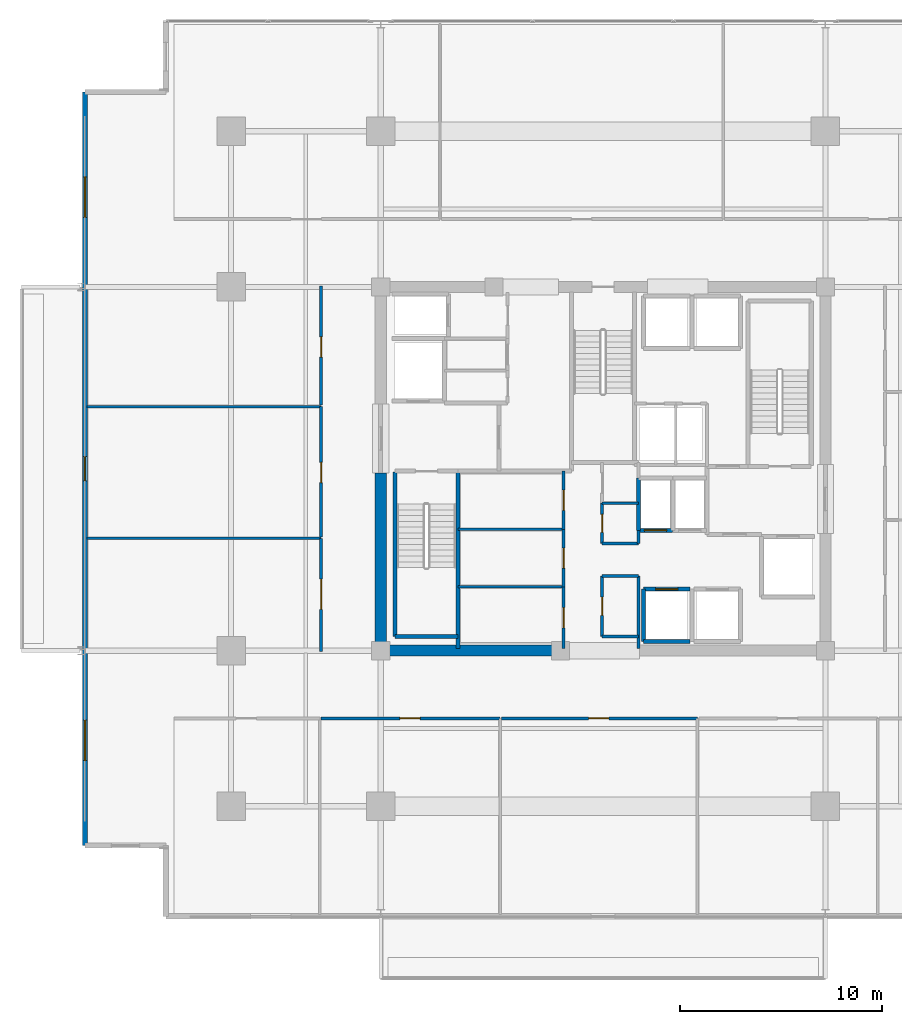
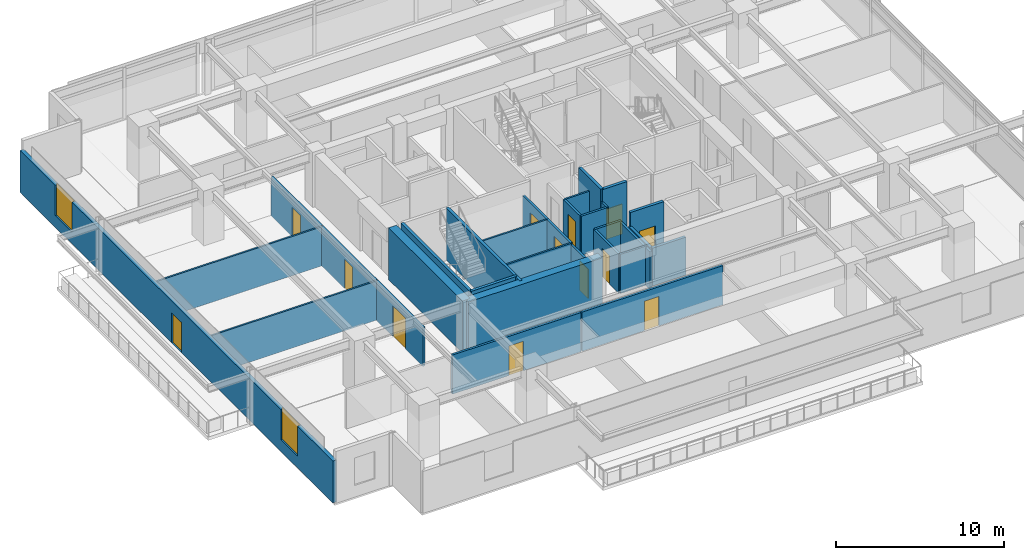
# One storey, part 15 of 23: 31 walls, 13 doors, 2 windows, 15 openings.
"""IFC4 building model written with IfcOpenShell, lengths in metres."""

from ifc_helpers import new_model, si_unit, direction, frame, frame_2d, origin, place, context, subcontext, project, spatial, rectangle, extrude, material, layer, layer_set, type_object, element, fill, save


model = new_model("IFC4")

# Units and contexts
model_context = context("Model", 3, precision=1e-05, world=origin(), true_north=direction((0.0, 1.0)))
body_context = subcontext(model_context, "Body", "Model", "MODEL_VIEW")
ifc_project = project(units=[si_unit("LENGTHUNIT", "METRE"), si_unit("AREAUNIT", "SQUARE_METRE"), si_unit("VOLUMEUNIT", "CUBIC_METRE"), si_unit("PLANEANGLEUNIT", "RADIAN"), si_unit("MASSUNIT", "GRAM", prefix="KILO")], contexts=[model_context])

# Site, building, storey
site_placement = place(None, origin())
site = spatial("IfcSite", under=ifc_project, at=site_placement, CompositionType="ELEMENT")
building_placement = place(site_placement, origin())
building = spatial("IfcBuilding", under=site, at=building_placement, Name="Kovane Verandah Tower", CompositionType="ELEMENT")
storey_placement = place(building_placement, frame((0.0, 0.0, 221.199951171875)))
storey = spatial("IfcBuildingStorey", under=building, at=storey_placement, Name="L51", CompositionType="ELEMENT", Elevation=221.199951171875)

# Walls
ifc_material_1 = material(Name="Fire-Rated Gypsum Stud Partition", Category="gypsum")
ifc_layer_1 = layer(ifc_material_1, 0.14990234375)
ifc_layer_set_1 = layer_set([ifc_layer_1], Name="Fire-Rated Gypsum Stud Partition")
wall_type_1 = type_object("IfcWallType", Name="WL-COR-150", PredefinedType="PARTITIONING", material=ifc_layer_set_1)
for number, where, z_axis, x_axis, name in (
    (1, (39.949951171875, 19.199951171875, 0.0), (0.0, 0.0, 1.0), (1.0, 0.0, 0.0), "L51 Central Core Strip South Wall"),
    (2, (39.949951171875, 22.199951171875, 0.0), (0.0, 0.0, 1.0), (1.0, 0.0, 0.0), "L51 Core Cross-Passage South Wall"),
    (3, (39.949951171875, 23.800048828125, 0.0), (0.0, 0.0, 1.0), (1.0, 0.0, 0.0), "L51 Core Cross-Passage North Wall"),
):
    element("IfcWall", number, at=place(storey_placement, frame(where, z_axis=z_axis, x_axis=x_axis)), inside=storey, type_object=wall_type_1, Name=name, PredefinedType="PARTITIONING", context=body_context, shape_type="SweptSolid", body=[
        extrude(rectangle(XDim=1.81005859375, YDim=0.14990234375, at=frame_2d((0.905029296875, 0.0))), origin(), (0.0, 0.0, 1.0), 2.85009765625),
    ])
wall_1_placement = place(storey_placement, frame((41.760009765625, 18.60009765625, 0.0), z_axis=(0.0, 0.0, 1.0), x_axis=(0.0, 1.0, 0.0)))
element("IfcWall", 4, at=wall_1_placement, inside=storey, type_object=wall_type_1, Name="L51 Central Core Strip Lower East Wall", PredefinedType="PARTITIONING", context=body_context, shape_type="SweptSolid", body=[
    extrude(rectangle(XDim=3.599853515625, YDim=0.14990234375, at=frame_2d((1.7998046875, 0.0))), origin(), (0.0, 0.0, 1.0), 2.755126953125),
])
wall_2_placement = place(storey_placement, frame((41.760009765625, 23.800048828125, 0.0), z_axis=(0.0, 0.0, 1.0), x_axis=(0.0, 1.0, 0.0)))
element("IfcWall", 5, at=wall_2_placement, inside=storey, type_object=wall_type_1, Name="L51 Central Core Strip Middle East Wall", PredefinedType="PARTITIONING", context=body_context, shape_type="SweptSolid", body=[
    extrude(rectangle(XDim=0.64990234375, YDim=0.14990234375, at=frame_2d((0.324951171875, 0.0))), origin(), (0.0, 0.0, 1.0), 2.85009765625),
])

# Wall, opening, door
wall_3_placement = place(storey_placement, frame((39.949951171875, 19.199951171875, 0.0), z_axis=(0.0, 0.0, 1.0), x_axis=(0.0, 1.0, 0.0)))
wall_3 = element("IfcWall", 6, at=wall_3_placement, inside=storey, type_object=wall_type_1, Name="L51 Male Toilet Partition", PredefinedType="PARTITIONING", context=body_context, shape_type="SweptSolid", body=[
    extrude(rectangle(XDim=3.0, YDim=0.14990234375, at=frame_2d((1.5, 0.0))), origin(), (0.0, 0.0, 1.0), 2.85009765625),
])
opening_1_placement = place(wall_3_placement, frame((1.050048828125, 0.0, 0.0)))
opening_1 = element("IfcOpeningElement", 7, at=opening_1_placement, cuts=wall_3, Name="Opening DR-L51-032", PredefinedType="OPENING", context=body_context, shape_type="SweptSolid", body=[
    extrude(rectangle(XDim=0.89990234375, YDim=2.10009765625, at=frame_2d((0.449951171875, 1.050048828125))), frame((0.0, 0.074951171875, 0.0), z_axis=(0.0, -1.0, 0.0), x_axis=(1.0, 0.0, 0.0)), (0.0, 0.0, 1.0), 0.14990234375),
])
ifc_material_2 = material(Name="Moisture-Resistant Laminate Washroom Door", Category="wood")
door_type_1 = type_object("IfcDoorType", Name="DR-WC-900", OperationType="SINGLE_SWING_LEFT", PredefinedType="DOOR", material=ifc_material_2)
door_1_placement = place(opening_1_placement, origin())
door_1 = element("IfcDoor", 8, at=door_1_placement, inside=storey, type_object=door_type_1, Name="L51 Male Toilet Door", OperationType="SINGLE_SWING_RIGHT", OverallHeight=2.10009765625, OverallWidth=0.89990234375, PredefinedType="DOOR", context=body_context, shape_type="SweptSolid", body=[
    extrude(rectangle(XDim=0.89990234375, YDim=2.10009765625, at=frame_2d((0.449951171875, 1.050048828125))), frame((0.0, 0.02490234375, 0.0), z_axis=(0.0, -1.0, 0.0), x_axis=(1.0, 0.0, 0.0)), (0.0, 0.0, 1.0), 0.050048828125),
])
fill(opening_1, door_1)

wall_4_placement = place(storey_placement, frame((39.949951171875, 23.800048828125, 0.0), z_axis=(0.0, 0.0, 1.0), x_axis=(0.0, 1.0, 0.0)))
wall_4 = element("IfcWall", 9, at=wall_4_placement, inside=storey, type_object=wall_type_1, Name="L51 Female Toilet Partition", PredefinedType="PARTITIONING", context=body_context, shape_type="SweptSolid", body=[
    extrude(rectangle(XDim=2.0, YDim=0.14990234375, at=frame_2d((1.0, 0.0))), origin(), (0.0, 0.0, 1.0), 2.85009765625),
])
opening_2_placement = place(wall_4_placement, frame((0.550048828125, 0.0, 0.0)))
opening_2 = element("IfcOpeningElement", 10, at=opening_2_placement, cuts=wall_4, Name="Opening DR-L51-031", PredefinedType="OPENING", context=body_context, shape_type="SweptSolid", body=[
    extrude(rectangle(XDim=0.89990234375, YDim=2.10009765625, at=frame_2d((0.449951171875, 1.050048828125))), frame((0.0, 0.074951171875, 0.0), z_axis=(0.0, -1.0, 0.0), x_axis=(1.0, 0.0, 0.0)), (0.0, 0.0, 1.0), 0.14990234375),
])
door_2_placement = place(opening_2_placement, origin())
door_2 = element("IfcDoor", 11, at=door_2_placement, inside=storey, type_object=door_type_1, Name="L51 Female Toilet Door", OperationType="SINGLE_SWING_LEFT", OverallHeight=2.10009765625, OverallWidth=0.89990234375, PredefinedType="DOOR", context=body_context, shape_type="SweptSolid", body=[
    extrude(rectangle(XDim=0.89990234375, YDim=2.10009765625, at=frame_2d((0.449951171875, 1.050048828125))), frame((0.0, 0.02490234375, 0.0), z_axis=(0.0, -1.0, 0.0), x_axis=(1.0, 0.0, 0.0)), (0.0, 0.0, 1.0), 0.050048828125),
])
fill(opening_2, door_2)

wall_5_placement = place(storey_placement, frame((38.050048828125, 18.60009765625, 0.0), z_axis=(0.0, 0.0, 1.0), x_axis=(0.0, 1.0, 0.0)))
wall_5 = element("IfcWall", 12, at=wall_5_placement, inside=storey, type_object=wall_type_1, Name="L51 Project Archive Room Partition", PredefinedType="PARTITIONING", context=body_context, shape_type="SweptSolid", body=[
    extrude(rectangle(XDim=3.059814453125, YDim=0.14990234375, at=frame_2d((1.52978515625, 0.0))), origin(), (0.0, 0.0, 1.0), 2.755126953125),
])
opening_3_placement = place(wall_5_placement, frame((1.030029296875, 0.0, 0.0)))
opening_3 = element("IfcOpeningElement", 13, at=opening_3_placement, cuts=wall_5, Name="Opening DR-L51-016", PredefinedType="OPENING", context=body_context, shape_type="SweptSolid", body=[
    extrude(rectangle(XDim=1.0, YDim=2.14990234375, at=frame_2d((0.5, 1.074951171875))), frame((0.0, 0.074951171875, 0.0), z_axis=(0.0, -1.0, 0.0), x_axis=(1.0, 0.0, 0.0)), (0.0, 0.0, 1.0), 0.14990234375),
])
ifc_material_3 = material(Name="FSC Spotted-Gum Timber Fire-Rated Office Door", Category="wood")
door_type_2 = type_object("IfcDoorType", Name="DR-OFF-1000", OperationType="SINGLE_SWING_LEFT", PredefinedType="DOOR", material=ifc_material_3)
door_3_placement = place(opening_3_placement, origin())
door_3 = element("IfcDoor", 14, at=door_3_placement, inside=storey, type_object=door_type_2, Name="L51 Project Archive Room Door", OperationType="SINGLE_SWING_RIGHT", OverallHeight=2.14990234375, OverallWidth=1.0, PredefinedType="DOOR", context=body_context, shape_type="SweptSolid", body=[
    extrude(rectangle(XDim=1.0, YDim=2.14990234375, at=frame_2d((0.5, 1.074951171875))), frame((0.0, 0.02490234375, 0.0), z_axis=(0.0, -1.0, 0.0), x_axis=(1.0, 0.0, 0.0)), (0.0, 0.0, 1.0), 0.050048828125),
])
fill(opening_3, door_3)

wall_6_placement = place(storey_placement, frame((38.050048828125, 21.659912109375, 0.0), z_axis=(0.0, 0.0, 1.0), x_axis=(0.0, 1.0, 0.0)))
wall_6 = element("IfcWall", 15, at=wall_6_placement, inside=storey, type_object=wall_type_1, Name="L51 First Aid and Wellness Room Partition", PredefinedType="PARTITIONING", context=body_context, shape_type="SweptSolid", body=[
    extrude(rectangle(XDim=2.840087890625, YDim=0.14990234375, at=frame_2d((1.419921875, 0.0))), origin(), (0.0, 0.0, 1.0), 2.85009765625),
])
opening_4_placement = place(wall_6_placement, frame((0.919921875, 0.0, 0.0)))
opening_4 = element("IfcOpeningElement", 16, at=opening_4_placement, cuts=wall_6, Name="Opening DR-L51-017", PredefinedType="OPENING", context=body_context, shape_type="SweptSolid", body=[
    extrude(rectangle(XDim=1.0, YDim=2.14990234375, at=frame_2d((0.5, 1.074951171875))), frame((0.0, 0.074951171875, 0.0), z_axis=(0.0, -1.0, 0.0), x_axis=(1.0, 0.0, 0.0)), (0.0, 0.0, 1.0), 0.14990234375),
])
door_4_placement = place(opening_4_placement, origin())
door_4 = element("IfcDoor", 17, at=door_4_placement, inside=storey, type_object=door_type_2, Name="L51 First Aid and Wellness Room Door", OperationType="SINGLE_SWING_LEFT", OverallHeight=2.14990234375, OverallWidth=1.0, PredefinedType="DOOR", context=body_context, shape_type="SweptSolid", body=[
    extrude(rectangle(XDim=1.0, YDim=2.14990234375, at=frame_2d((0.5, 1.074951171875))), frame((0.0, 0.02490234375, 0.0), z_axis=(0.0, -1.0, 0.0), x_axis=(1.0, 0.0, 0.0)), (0.0, 0.0, 1.0), 0.050048828125),
])
fill(opening_4, door_4)

wall_7_placement = place(storey_placement, frame((38.050048828125, 24.5, 0.0), z_axis=(0.0, 0.0, 1.0), x_axis=(0.0, 1.0, 0.0)))
wall_7 = element("IfcWall", 18, at=wall_7_placement, inside=storey, type_object=wall_type_1, Name="L51 Tea and Copy Hub Partition", PredefinedType="PARTITIONING", context=body_context, shape_type="SweptSolid", body=[
    extrude(rectangle(XDim=2.8798828125, YDim=0.14990234375, at=frame_2d((1.43994140625, 0.0))), origin(), (0.0, 0.0, 1.0), 2.85009765625),
])
opening_5_placement = place(wall_7_placement, frame((0.93994140625, 0.0, 0.0)))
opening_5 = element("IfcOpeningElement", 19, at=opening_5_placement, cuts=wall_7, Name="Opening DR-L51-018", PredefinedType="OPENING", context=body_context, shape_type="SweptSolid", body=[
    extrude(rectangle(XDim=1.0, YDim=2.14990234375, at=frame_2d((0.5, 1.074951171875))), frame((0.0, 0.074951171875, 0.0), z_axis=(0.0, -1.0, 0.0), x_axis=(1.0, 0.0, 0.0)), (0.0, 0.0, 1.0), 0.14990234375),
])
door_5_placement = place(opening_5_placement, origin())
door_5 = element("IfcDoor", 20, at=door_5_placement, inside=storey, type_object=door_type_2, Name="L51 Tea and Copy Hub Door", OperationType="SINGLE_SWING_RIGHT", OverallHeight=2.14990234375, OverallWidth=1.0, PredefinedType="DOOR", context=body_context, shape_type="SweptSolid", body=[
    extrude(rectangle(XDim=1.0, YDim=2.14990234375, at=frame_2d((0.5, 1.074951171875))), frame((0.0, 0.02490234375, 0.0), z_axis=(0.0, -1.0, 0.0), x_axis=(1.0, 0.0, 0.0)), (0.0, 0.0, 1.0), 0.050048828125),
])
fill(opening_5, door_5)

wall_8_placement = place(storey_placement, frame((26.057373046875, 15.14990234375, 0.0), z_axis=(0.0, 0.0, 1.0), x_axis=(1.0, 0.0, 0.0)))
wall_8 = element("IfcWall", 21, at=wall_8_placement, inside=storey, type_object=wall_type_1, Name="L51 Collaboration Hub S2 Corridor Partition", PredefinedType="PARTITIONING", context=body_context, shape_type="SweptSolid", body=[
    extrude(rectangle(XDim=8.84716796875, YDim=0.14990234375, at=frame_2d((4.423583984375, 0.0))), origin(), (0.0, 0.0, 1.0), 2.85009765625),
])
opening_6_placement = place(wall_8_placement, frame((3.888671875, 0.0, 0.0)))
opening_6 = element("IfcOpeningElement", 22, at=opening_6_placement, cuts=wall_8, Name="Opening DR-L51-025", PredefinedType="OPENING", context=body_context, shape_type="SweptSolid", body=[
    extrude(rectangle(XDim=1.0, YDim=2.14990234375, at=frame_2d((0.5, 1.074951171875))), frame((0.0, 0.074951171875, 0.0), z_axis=(0.0, -1.0, 0.0), x_axis=(1.0, 0.0, 0.0)), (0.0, 0.0, 1.0), 0.14990234375),
])
door_6_placement = place(opening_6_placement, origin())
door_6 = element("IfcDoor", 23, at=door_6_placement, inside=storey, type_object=door_type_2, Name="L51 Collaboration Hub S2 Entrance Door", OperationType="SINGLE_SWING_LEFT", OverallHeight=2.14990234375, OverallWidth=1.0, PredefinedType="DOOR", context=body_context, shape_type="SweptSolid", body=[
    extrude(rectangle(XDim=1.0, YDim=2.14990234375, at=frame_2d((0.5, 1.074951171875))), frame((0.0, 0.02490234375, 0.0), z_axis=(0.0, -1.0, 0.0), x_axis=(1.0, 0.0, 0.0)), (0.0, 0.0, 1.0), 0.050048828125),
])
fill(opening_6, door_6)

wall_9_placement = place(storey_placement, frame((34.974609375, 15.14990234375, 0.0), z_axis=(0.0, 0.0, 1.0), x_axis=(1.0, 0.0, 0.0)))
wall_9 = element("IfcWall", 24, at=wall_9_placement, inside=storey, type_object=wall_type_1, Name="L51 Document and Print Room S3 Corridor Partition", PredefinedType="PARTITIONING", context=body_context, shape_type="SweptSolid", body=[
    extrude(rectangle(XDim=9.6962890625, YDim=0.14990234375, at=frame_2d((4.84814453125, 0.0))), origin(), (0.0, 0.0, 1.0), 2.85009765625),
])
opening_7_placement = place(wall_9_placement, frame((4.313232421875, 0.0, 0.0)))
opening_7 = element("IfcOpeningElement", 25, at=opening_7_placement, cuts=wall_9, Name="Opening DR-L51-026", PredefinedType="OPENING", context=body_context, shape_type="SweptSolid", body=[
    extrude(rectangle(XDim=1.0, YDim=2.14990234375, at=frame_2d((0.5, 1.074951171875))), frame((0.0, 0.074951171875, 0.0), z_axis=(0.0, -1.0, 0.0), x_axis=(1.0, 0.0, 0.0)), (0.0, 0.0, 1.0), 0.14990234375),
])
door_7_placement = place(opening_7_placement, origin())
door_7 = element("IfcDoor", 26, at=door_7_placement, inside=storey, type_object=door_type_2, Name="L51 Document and Print Room S3 Entrance Door", OperationType="SINGLE_SWING_RIGHT", OverallHeight=2.14990234375, OverallWidth=1.0, PredefinedType="DOOR", context=body_context, shape_type="SweptSolid", body=[
    extrude(rectangle(XDim=1.0, YDim=2.14990234375, at=frame_2d((0.5, 1.074951171875))), frame((0.0, 0.02490234375, 0.0), z_axis=(0.0, -1.0, 0.0), x_axis=(1.0, 0.0, 0.0)), (0.0, 0.0, 1.0), 0.050048828125),
])
fill(opening_7, door_7)

wall_10_placement = place(storey_placement, frame((26.050048828125, 18.449951171875, 0.0), z_axis=(0.0, 0.0, 1.0), x_axis=(0.0, 1.0, 0.0)))
wall_10 = element("IfcWall", 27, at=wall_10_placement, inside=storey, type_object=wall_type_1, Name="L51 Client Boardroom W1 Corridor Partition", PredefinedType="PARTITIONING", context=body_context, shape_type="SweptSolid", body=[
    extrude(rectangle(XDim=5.611083984375, YDim=0.14990234375, at=frame_2d((2.8056640625, 0.0))), origin(), (0.0, 0.0, 1.0), 2.85009765625),
])
opening_8_placement = place(wall_10_placement, frame((2.095458984375, 0.0, 0.0)))
opening_8 = element("IfcOpeningElement", 28, at=opening_8_placement, cuts=wall_10, Name="Opening DR-L51-033", PredefinedType="OPENING", context=body_context, shape_type="SweptSolid", body=[
    extrude(rectangle(XDim=1.5, YDim=2.25, at=frame_2d((0.75, 1.125))), frame((0.0, 0.074951171875, 0.0), z_axis=(0.0, -1.0, 0.0), x_axis=(1.0, 0.0, 0.0)), (0.0, 0.0, 1.0), 0.14990234375),
])
ifc_material_4 = material(Name="Glazed Timber Fire-Rated Double Door", Category="wood")
door_type_3 = type_object("IfcDoorType", Name="DR-CONF-1500", OperationType="DOUBLE_DOOR_SINGLE_SWING", PredefinedType="DOOR", material=ifc_material_4)
door_8_placement = place(opening_8_placement, origin())
door_8 = element("IfcDoor", 29, at=door_8_placement, inside=storey, type_object=door_type_3, Name="L51 Client Boardroom W1 Entrance Door", OperationType="DOUBLE_DOOR_SINGLE_SWING", OverallHeight=2.25, OverallWidth=1.5, PredefinedType="DOOR", context=body_context, shape_type="SweptSolid", body=[
    extrude(rectangle(XDim=1.5, YDim=2.25, at=frame_2d((0.75, 1.125))), frame((0.0, 0.02490234375, 0.0), z_axis=(0.0, -1.0, 0.0), x_axis=(1.0, 0.0, 0.0)), (0.0, 0.0, 1.0), 0.050048828125),
])
fill(opening_8, door_8)

wall_11_placement = place(storey_placement, frame((26.050048828125, 24.131103515625, 0.0), z_axis=(0.0, 0.0, 1.0), x_axis=(0.0, 1.0, 0.0)))
wall_11 = element("IfcWall", 30, at=wall_11_placement, inside=storey, type_object=wall_type_1, Name="L51 Meeting Room W2 Corridor Partition", PredefinedType="PARTITIONING", context=body_context, shape_type="SweptSolid", body=[
    extrude(rectangle(XDim=6.44580078125, YDim=0.14990234375, at=frame_2d((3.222900390625, 0.0))), origin(), (0.0, 0.0, 1.0), 2.85009765625),
])
opening_9_placement = place(wall_11_placement, frame((2.68798828125, 0.0, 0.0)))
opening_9 = element("IfcOpeningElement", 31, at=opening_9_placement, cuts=wall_11, Name="Opening DR-L51-034", PredefinedType="OPENING", context=body_context, shape_type="SweptSolid", body=[
    extrude(rectangle(XDim=1.0, YDim=2.14990234375, at=frame_2d((0.5, 1.074951171875))), frame((0.0, 0.074951171875, 0.0), z_axis=(0.0, -1.0, 0.0), x_axis=(1.0, 0.0, 0.0)), (0.0, 0.0, 1.0), 0.14990234375),
])
door_9_placement = place(opening_9_placement, origin())
door_9 = element("IfcDoor", 32, at=door_9_placement, inside=storey, type_object=door_type_2, Name="L51 Meeting Room W2 Entrance Door", OperationType="SINGLE_SWING_RIGHT", OverallHeight=2.14990234375, OverallWidth=1.0, PredefinedType="DOOR", context=body_context, shape_type="SweptSolid", body=[
    extrude(rectangle(XDim=1.0, YDim=2.14990234375, at=frame_2d((0.5, 1.074951171875))), frame((0.0, 0.02490234375, 0.0), z_axis=(0.0, -1.0, 0.0), x_axis=(1.0, 0.0, 0.0)), (0.0, 0.0, 1.0), 0.050048828125),
])
fill(opening_9, door_9)

wall_12_placement = place(storey_placement, frame((26.050048828125, 30.64697265625, 0.0), z_axis=(0.0, 0.0, 1.0), x_axis=(0.0, 1.0, 0.0)))
wall_12 = element("IfcWall", 33, at=wall_12_placement, inside=storey, type_object=wall_type_1, Name="L51 Focus Studio W3 Corridor Partition", PredefinedType="PARTITIONING", context=body_context, shape_type="SweptSolid", body=[
    extrude(rectangle(XDim=5.903076171875, YDim=0.14990234375, at=frame_2d((2.95166015625, 0.0))), origin(), (0.0, 0.0, 1.0), 2.85009765625),
])
opening_10_placement = place(wall_12_placement, frame((2.37646484375, 0.0, 0.0)))
opening_10 = element("IfcOpeningElement", 34, at=opening_10_placement, cuts=wall_12, Name="Opening DR-L51-035", PredefinedType="OPENING", context=body_context, shape_type="SweptSolid", body=[
    extrude(rectangle(XDim=1.0, YDim=2.14990234375, at=frame_2d((0.5, 1.074951171875))), frame((0.0, 0.074951171875, 0.0), z_axis=(0.0, -1.0, 0.0), x_axis=(1.0, 0.0, 0.0)), (0.0, 0.0, 1.0), 0.14990234375),
])
door_10_placement = place(opening_10_placement, origin())
door_10 = element("IfcDoor", 35, at=door_10_placement, inside=storey, type_object=door_type_2, Name="L51 Focus Studio W3 Entrance Door", OperationType="SINGLE_SWING_LEFT", OverallHeight=2.14990234375, OverallWidth=1.0, PredefinedType="DOOR", context=body_context, shape_type="SweptSolid", body=[
    extrude(rectangle(XDim=1.0, YDim=2.14990234375, at=frame_2d((0.5, 1.074951171875))), frame((0.0, 0.02490234375, 0.0), z_axis=(0.0, -1.0, 0.0), x_axis=(1.0, 0.0, 0.0)), (0.0, 0.0, 1.0), 0.050048828125),
])
fill(opening_10, door_10)

# Walls
ifc_material_5 = material(Name="Concrete C60/75", Category="concrete")
ifc_layer_2 = layer(ifc_material_5, 0.550048828125)
ifc_layer_set_2 = layer_set([ifc_layer_2], Name="Concrete C60/75")
wall_type_2 = type_object("IfcWallType", Name="WL-CORE-550", PredefinedType="SHEAR", material=ifc_layer_set_2)
wall_13_placement = place(storey_placement, frame((29.0, 18.5, 0.0), z_axis=(0.0, 0.0, 1.0), x_axis=(1.0, 0.0, 0.0)))
element("IfcWall", 36, at=wall_13_placement, inside=storey, type_object=wall_type_2, Name="L51 Core Shear Wall CS-1", PredefinedType="SHEAR", context=body_context, shape_type="SweptSolid", body=[
    extrude(rectangle(XDim=9.199951171875, YDim=0.550048828125, at=frame_2d((4.60009765625, 0.0))), origin(), (0.0, 0.0, 1.0), 3.775146484375),
])
wall_14_placement = place(storey_placement, frame((29.0, 18.5, 0.0), z_axis=(0.0, 0.0, 1.0), x_axis=(0.0, 1.0, 0.0)))
element("IfcWall", 37, at=wall_14_placement, inside=storey, type_object=wall_type_2, Name="L51 Core Shear Wall CW-1", PredefinedType="SHEAR", context=body_context, shape_type="SweptSolid", body=[
    extrude(rectangle(XDim=8.800048828125, YDim=0.550048828125, at=frame_2d((4.39990234375, 0.0))), origin(), (0.0, 0.0, 1.0), 3.775146484375),
])
ifc_material_6 = material(Name="Concrete C45/55 Lift Shaft Wall", Category="concrete")
ifc_layer_3 = layer(ifc_material_6, 0.199951171875)
ifc_layer_set_3 = layer_set([ifc_layer_3], Name="Concrete C45/55 Lift Shaft Wall")
wall_type_3 = type_object("IfcWallType", Name="WL-LIFT-200", PredefinedType="SOLIDWALL", material=ifc_layer_set_3)
wall_15_placement = place(storey_placement, frame((42.0, 18.949951171875, 0.0), z_axis=(0.0, 0.0, 1.0), x_axis=(1.0, 0.0, 0.0)))
element("IfcWall", 38, at=wall_15_placement, inside=storey, type_object=wall_type_3, Name="L51 Lift PL-M1 S Shaft Wall", PredefinedType="SOLIDWALL", context=body_context, shape_type="SweptSolid", body=[
    extrude(rectangle(XDim=2.300048828125, YDim=0.199951171875, at=frame_2d((1.14990234375, 0.0))), origin(), (0.0, 0.0, 1.0), 2.755126953125),
])

# Wall, opening, door
wall_16_placement = place(storey_placement, frame((44.300048828125, 21.550048828125, 0.0), z_axis=(0.0, 0.0, 1.0), x_axis=(-1.0, 0.0, 0.0)))
wall_16 = element("IfcWall", 39, at=wall_16_placement, inside=storey, type_object=wall_type_3, Name="L51 Lift PL-M1 N Shaft Wall", PredefinedType="SOLIDWALL", context=body_context, shape_type="SweptSolid", body=[
    extrude(rectangle(XDim=2.300048828125, YDim=0.199951171875, at=frame_2d((1.14990234375, 0.0))), origin(), (0.0, 0.0, 1.0), 3.775146484375),
])
opening_11_placement = place(wall_16_placement, frame((0.60009765625, 0.0, 0.0)))
opening_11 = element("IfcOpeningElement", 40, at=opening_11_placement, cuts=wall_16, Name="Opening LD-L51-004", PredefinedType="OPENING", context=body_context, shape_type="SweptSolid", body=[
    extrude(rectangle(XDim=1.10009765625, YDim=2.199951171875, at=frame_2d((0.550048828125, 1.10009765625))), frame((0.0, 0.10009765625, 0.0), z_axis=(0.0, -1.0, 0.0), x_axis=(1.0, 0.0, 0.0)), (0.0, 0.0, 1.0), 0.199951171875),
])
ifc_material_7 = material(Name="Brushed Stainless Steel Sliding Lift Landing Door", Category="steel")
door_type_4 = type_object("IfcDoorType", Name="DR-LIFT-1100", OperationType="SLIDING_TO_RIGHT", PredefinedType="DOOR", material=ifc_material_7)
door_11_placement = place(opening_11_placement, origin())
door_11 = element("IfcDoor", 41, at=door_11_placement, inside=storey, type_object=door_type_4, Name="L51 Lift PL-M1 Sliding Landing Door", OperationType="SLIDING_TO_RIGHT", OverallHeight=2.199951171875, OverallWidth=1.10009765625, PredefinedType="DOOR", context=body_context, shape_type="SweptSolid", body=[
    extrude(rectangle(XDim=1.10009765625, YDim=2.199951171875, at=frame_2d((0.550048828125, 1.10009765625))), frame((0.0, 0.02490234375, 0.0), z_axis=(0.0, -1.0, 0.0), x_axis=(1.0, 0.0, 0.0)), (0.0, 0.0, 1.0), 0.050048828125),
])
fill(opening_11, door_11)

# Wall
wall_17_placement = place(storey_placement, frame((42.0, 21.550048828125, 0.0), z_axis=(0.0, 0.0, 1.0), x_axis=(0.0, -1.0, 0.0)))
element("IfcWall", 42, at=wall_17_placement, inside=storey, type_object=wall_type_3, Name="L51 Lift PL-M1 W Shaft Wall", PredefinedType="SOLIDWALL", context=body_context, shape_type="SweptSolid", body=[
    extrude(rectangle(XDim=2.60009765625, YDim=0.199951171875, at=frame_2d((1.300048828125, 0.0))), origin(), (0.0, 0.0, 1.0), 2.755126953125),
])

# Wall, opening, door
wall_18_placement = place(storey_placement, frame((41.760009765625, 24.449951171875, 0.0), z_axis=(0.0, 0.0, 1.0), x_axis=(1.0, 0.0, 0.0)))
wall_18 = element("IfcWall", 43, at=wall_18_placement, inside=storey, type_object=wall_type_3, Name="L51 Lift PL-M3 S Shaft Wall", PredefinedType="SOLIDWALL", context=body_context, shape_type="SweptSolid", body=[
    extrude(rectangle(XDim=1.679931640625, YDim=0.199951171875, at=frame_2d((0.83984375, 0.0))), origin(), (0.0, 0.0, 1.0), 3.775146484375),
])
opening_12_placement = place(wall_18_placement, frame((0.2900390625, 0.0, 0.0)))
opening_12 = element("IfcOpeningElement", 44, at=opening_12_placement, cuts=wall_18, Name="Opening LD-L51-006", PredefinedType="OPENING", context=body_context, shape_type="SweptSolid", body=[
    extrude(rectangle(XDim=1.10009765625, YDim=2.199951171875, at=frame_2d((0.550048828125, 1.10009765625))), frame((0.0, 0.10009765625, 0.0), z_axis=(0.0, -1.0, 0.0), x_axis=(1.0, 0.0, 0.0)), (0.0, 0.0, 1.0), 0.199951171875),
])
door_12_placement = place(opening_12_placement, origin())
door_12 = element("IfcDoor", 45, at=door_12_placement, inside=storey, type_object=door_type_4, Name="L51 Lift PL-M3 Sliding Landing Door", OperationType="SLIDING_TO_RIGHT", OverallHeight=2.199951171875, OverallWidth=1.10009765625, PredefinedType="DOOR", context=body_context, shape_type="SweptSolid", body=[
    extrude(rectangle(XDim=1.10009765625, YDim=2.199951171875, at=frame_2d((0.550048828125, 1.10009765625))), frame((0.0, 0.02490234375, 0.0), z_axis=(0.0, -1.0, 0.0), x_axis=(1.0, 0.0, 0.0)), (0.0, 0.0, 1.0), 0.050048828125),
])
fill(opening_12, door_12)

# Walls
wall_19_placement = place(storey_placement, frame((41.760009765625, 27.050048828125, 0.0), z_axis=(0.0, 0.0, 1.0), x_axis=(0.0, -1.0, 0.0)))
element("IfcWall", 46, at=wall_19_placement, inside=storey, type_object=wall_type_3, Name="L51 Lift PL-M3 W Shaft Wall", PredefinedType="SOLIDWALL", context=body_context, shape_type="SweptSolid", body=[
    extrude(rectangle(XDim=2.60009765625, YDim=0.199951171875, at=frame_2d((1.300048828125, 0.0))), origin(), (0.0, 0.0, 1.0), 3.775146484375),
])
ifc_material_8 = material(Name="Acoustic Fire-Rated Gypsum Partition", Category="gypsum")
ifc_layer_4 = layer(ifc_material_8, 0.1201171875)
ifc_layer_set_4 = layer_set([ifc_layer_4], Name="Acoustic Fire-Rated Gypsum Partition")
wall_type_4 = type_object("IfcWallType", Name="WL-PART-120", PredefinedType="PARTITIONING", material=ifc_layer_set_4)
wall_20_placement = place(storey_placement, frame((39.949951171875, 25.800048828125, 0.0), z_axis=(0.0, 0.0, 1.0), x_axis=(1.0, 0.0, 0.0)))
element("IfcWall", 47, at=wall_20_placement, inside=storey, type_object=wall_type_4, Name="L51 Central Core Strip Upper Dividing Partition", PredefinedType="PARTITIONING", context=body_context, shape_type="SweptSolid", body=[
    extrude(rectangle(XDim=1.81005859375, YDim=0.1201171875, at=frame_2d((0.905029296875, 0.0))), origin(), (0.0, 0.0, 1.0), 2.85009765625),
])
for number, where, z_axis, x_axis, name in (
    (48, (32.820068359375, 21.659912109375, 0.0), (0.0, 0.0, 1.0), (1.0, 0.0, 0.0), "L51 Core Support Lower Dividing Partition"),
    (49, (32.820068359375, 24.5, 0.0), (0.0, 0.0, 1.0), (1.0, 0.0, 0.0), "L51 Core Support Upper Dividing Partition"),
):
    element("IfcWall", number, at=place(storey_placement, frame(where, z_axis=z_axis, x_axis=x_axis)), inside=storey, type_object=wall_type_4, Name=name, PredefinedType="PARTITIONING", context=body_context, shape_type="SweptSolid", body=[
        extrude(rectangle(XDim=5.22998046875, YDim=0.1201171875, at=frame_2d((2.614990234375, 0.0))), origin(), (0.0, 0.0, 1.0), 2.85009765625),
    ])
for number, where, z_axis, x_axis, name in (
    (50, (14.46875, 24.06103515625, 0.0), (0.0, 0.0, 1.0), (1.0, 0.0, 0.0), "L51 Client Boardroom W1 Dividing Partition"),
    (51, (14.46875, 30.576904296875, 0.0), (0.0, 0.0, 1.0), (1.0, 0.0, 0.0), "L51 Meeting Room W2 Dividing Partition"),
):
    element("IfcWall", number, at=place(storey_placement, frame(where, z_axis=z_axis, x_axis=x_axis)), inside=storey, type_object=wall_type_4, Name=name, PredefinedType="PARTITIONING", context=body_context, shape_type="SweptSolid", body=[
        extrude(rectangle(XDim=11.581298828125, YDim=0.1201171875, at=frame_2d((5.79052734375, 0.0))), origin(), (0.0, 0.0, 1.0), 2.85009765625),
    ])
ifc_material_9 = material(Name="Concrete C45/55", Category="concrete")
ifc_layer_5 = layer(ifc_material_9, 0.199951171875)
ifc_layer_set_5 = layer_set([ifc_layer_5], Name="Concrete C45/55")
wall_type_5 = type_object("IfcWallType", Name="WL-SHAFT-200", PredefinedType="SOLIDWALL", material=ifc_layer_set_5)
wall_21_placement = place(storey_placement, frame((29.699951171875, 19.199951171875, 0.0), z_axis=(0.0, 0.0, 1.0), x_axis=(0.0, 1.0, 0.0)))
element("IfcWall", 52, at=wall_21_placement, inside=storey, type_object=wall_type_5, Name="W-L51-ST01-W", PredefinedType="SOLIDWALL", context=body_context, shape_type="SweptSolid", body=[
    extrude(rectangle(XDim=8.150146484375, YDim=0.199951171875, at=frame_2d((4.0751953125, 0.0))), origin(), (0.0, 0.0, 1.0), 3.775146484375),
])
wall_22_placement = place(storey_placement, frame((29.699951171875, 19.199951171875, 0.0), z_axis=(0.0, 0.0, 1.0), x_axis=(1.0, 0.0, 0.0)))
element("IfcWall", 53, at=wall_22_placement, inside=storey, type_object=wall_type_5, Name="W-L51-ST01-S", PredefinedType="SOLIDWALL", context=body_context, shape_type="SweptSolid", body=[
    extrude(rectangle(XDim=3.1201171875, YDim=0.199951171875, at=frame_2d((1.56005859375, 0.0))), origin(), (0.0, 0.0, 1.0), 3.775146484375),
])
wall_23_placement = place(storey_placement, frame((32.820068359375, 18.60009765625, 0.0), z_axis=(0.0, 0.0, 1.0), x_axis=(0.0, 1.0, 0.0)))
element("IfcWall", 54, at=wall_23_placement, inside=storey, type_object=wall_type_5, Name="W-L51-ST01-E", PredefinedType="SOLIDWALL", context=body_context, shape_type="SweptSolid", body=[
    extrude(rectangle(XDim=8.77978515625, YDim=0.199951171875, at=frame_2d((4.389892578125, 0.0))), origin(), (0.0, 0.0, 1.0), 3.775146484375),
])

# Wall, openings, door, windows
ifc_material_10 = material(Name="Concrete C45/55 Insulated Spandrel Wall", Category="concrete")
ifc_layer_6 = layer(ifc_material_10, 0.260009765625)
ifc_layer_set_6 = layer_set([ifc_layer_6], Name="Concrete C45/55 Insulated Spandrel Wall")
wall_type_6 = type_object("IfcWallType", Name="WL-SPANDREL-260", PredefinedType="PARAPET", material=ifc_layer_set_6)
wall_24_placement = place(storey_placement, frame((14.36865234375, 46.140380859375, 0.0), z_axis=(0.0, 0.0, 1.0), x_axis=(0.0, -1.0, 0.0)))
wall_24 = element("IfcWall", 55, at=wall_24_placement, inside=storey, type_object=wall_type_6, Name="L51 W Verandah Access Facade Wall", PredefinedType="PARAPET", context=body_context, shape_type="SweptSolid", body=[
    extrude(rectangle(XDim=37.28076171875, YDim=0.260009765625, at=frame_2d((18.640380859375, 0.0))), origin(), (0.0, 0.0, 1.0), 3.047119140625),
])
opening_13_placement = place(wall_24_placement, frame((4.199951171875, 0.0, 0.85009765625)))
opening_13 = element("IfcOpeningElement", 56, at=opening_13_placement, cuts=wall_24, Name="Opening W-04", PredefinedType="OPENING", context=body_context, shape_type="SweptSolid", body=[
    extrude(rectangle(XDim=2.0, YDim=2.300048828125, at=frame_2d((1.0, 1.14990234375))), frame((0.0, 0.1298828125, 0.0), z_axis=(0.0, -1.0, 0.0), x_axis=(1.0, 0.0, 0.0)), (0.0, 0.0, 1.0), 0.260009765625),
])
opening_14_placement = place(wall_24_placement, frame((18.040283203125, 0.0, 0.0)))
opening_14 = element("IfcOpeningElement", 57, at=opening_14_placement, cuts=wall_24, Name="Opening DR-L51-002", PredefinedType="OPENING", context=body_context, shape_type="SweptSolid", body=[
    extrude(rectangle(XDim=1.199951171875, YDim=2.199951171875, at=frame_2d((0.60009765625, 1.10009765625))), frame((0.0, 0.1298828125, 0.0), z_axis=(0.0, -1.0, 0.0), x_axis=(1.0, 0.0, 0.0)), (0.0, 0.0, 1.0), 0.260009765625),
])
opening_15_placement = place(wall_24_placement, frame((31.080810546875, 0.0, 0.85009765625)))
opening_15 = element("IfcOpeningElement", 58, at=opening_15_placement, cuts=wall_24, Name="Opening W-04", PredefinedType="OPENING", context=body_context, shape_type="SweptSolid", body=[
    extrude(rectangle(XDim=2.0, YDim=2.300048828125, at=frame_2d((1.0, 1.14990234375))), frame((0.0, 0.1298828125, 0.0), z_axis=(0.0, -1.0, 0.0), x_axis=(1.0, 0.0, 0.0)), (0.0, 0.0, 1.0), 0.260009765625),
])
ifc_material_11 = material(Name="Cyclone-Rated Glazed Balcony Leaf Door", Category="aluminium")
door_type_5 = type_object("IfcDoorType", Name="DR-BAL-1200x2200", OperationType="SINGLE_SWING_LEFT", PredefinedType="DOOR", material=ifc_material_11)
door_13_placement = place(opening_14_placement, origin())
door_13 = element("IfcDoor", 59, at=door_13_placement, inside=storey, type_object=door_type_5, Name="L51 W Planted Balcony Access Door", OperationType="SINGLE_SWING_LEFT", OverallHeight=2.199951171875, OverallWidth=1.199951171875, PredefinedType="DOOR", context=body_context, shape_type="SweptSolid", body=[
    extrude(rectangle(XDim=1.199951171875, YDim=2.199951171875, at=frame_2d((0.60009765625, 1.10009765625))), frame((0.0, 0.02490234375, 0.0), z_axis=(0.0, -1.0, 0.0), x_axis=(1.0, 0.0, 0.0)), (0.0, 0.0, 1.0), 0.050048828125),
])
fill(opening_14, door_13)
ifc_material_12 = material(Name="Clear Low-E Laminated Double Glazing in Anodised Frame", Category="glass")
window_type = type_object("IfcWindowType", Name="WN-FIXED-2000x2300", PartitioningType="SINGLE_PANEL", PredefinedType="WINDOW", material=ifc_material_12)
window_1_placement = place(opening_13_placement, origin())
window_1 = element("IfcWindow", 60, at=window_1_placement, inside=storey, type_object=window_type, Name="L51 W Verandah View Window 1", OverallHeight=2.300048828125, OverallWidth=2.0, PartitioningType="SINGLE_PANEL", PredefinedType="WINDOW", context=body_context, shape_type="SweptSolid", body=[
    extrude(rectangle(XDim=2.0, YDim=2.300048828125, at=frame_2d((1.0, 1.14990234375))), frame((0.0, 0.030029296875, 0.0), z_axis=(0.0, -1.0, 0.0), x_axis=(1.0, 0.0, 0.0)), (0.0, 0.0, 1.0), 0.06005859375),
])
fill(opening_13, window_1)
window_2_placement = place(opening_15_placement, origin())
window_2 = element("IfcWindow", 61, at=window_2_placement, inside=storey, type_object=window_type, Name="L51 W Verandah View Window 2", OverallHeight=2.300048828125, OverallWidth=2.0, PartitioningType="SINGLE_PANEL", PredefinedType="WINDOW", context=body_context, shape_type="SweptSolid", body=[
    extrude(rectangle(XDim=2.0, YDim=2.300048828125, at=frame_2d((1.0, 1.14990234375))), frame((0.0, 0.030029296875, 0.0), z_axis=(0.0, -1.0, 0.0), x_axis=(1.0, 0.0, 0.0)), (0.0, 0.0, 1.0), 0.06005859375),
])
fill(opening_15, window_2)

save(model, "model.ifc")
